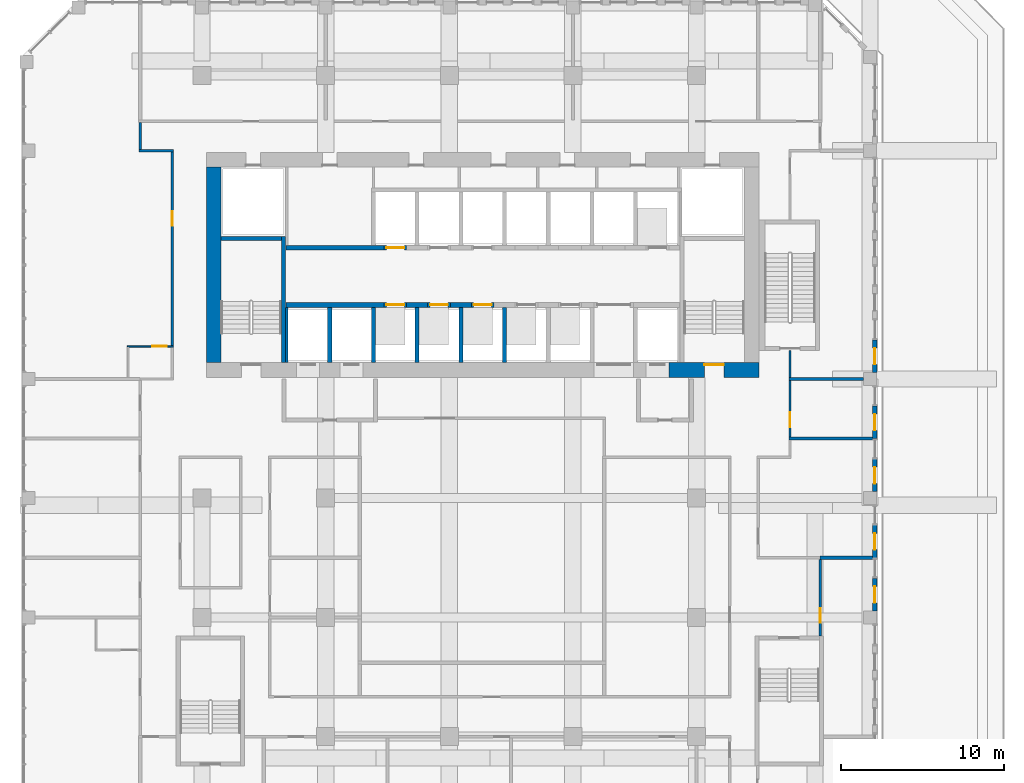
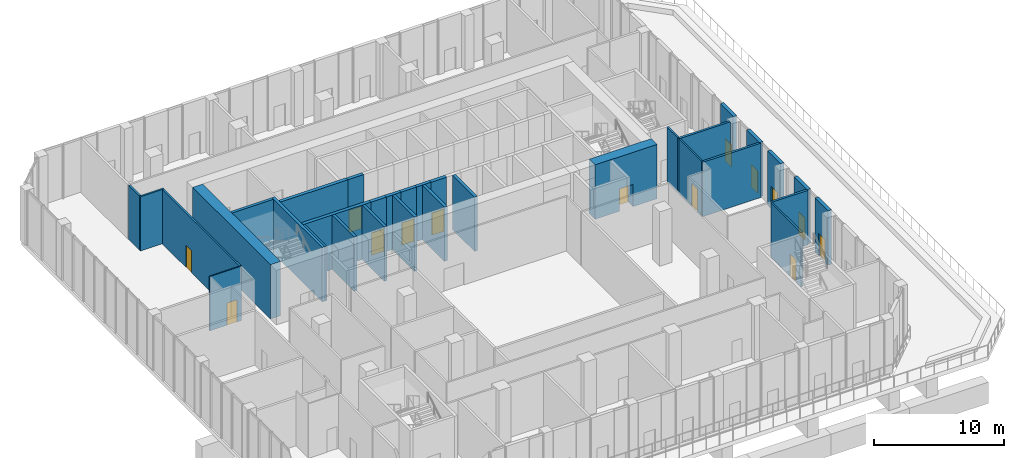
# One storey, part 12 of 19: 33 walls, 14 doors, 14 openings.
"""IFC4 building model written with IfcOpenShell, lengths in metres."""

from ifc_helpers import new_model, si_unit, direction, frame, frame_2d, origin, place, context, subcontext, project, spatial, rectangle, extrude, source, transform, mapped, material, layer, layer_set, type_object, element, fill, save


model = new_model("IFC4")

# Units and contexts
model_context = context("Model", 3, precision=1e-05, world=origin(), true_north=direction((0.0, 1.0)))
body_context = subcontext(model_context, "Body", "Model", "MODEL_VIEW")
ifc_project = project(units=[si_unit("LENGTHUNIT", "METRE"), si_unit("AREAUNIT", "SQUARE_METRE"), si_unit("VOLUMEUNIT", "CUBIC_METRE"), si_unit("PLANEANGLEUNIT", "RADIAN"), si_unit("MASSUNIT", "GRAM", prefix="KILO")], contexts=[model_context])

# Site, building, storey
site_placement = place(None, origin())
site = spatial("IfcSite", under=ifc_project, at=site_placement, CompositionType="ELEMENT")
building_placement = place(site_placement, origin())
building = spatial("IfcBuilding", under=site, at=building_placement, Name="Kilnfold Tower and Market Hall", CompositionType="ELEMENT")
storey_placement = place(building_placement, frame((0.0, 0.0, 138.5)))
storey = spatial("IfcBuildingStorey", under=building, at=storey_placement, Name="L31", CompositionType="ELEMENT", Elevation=138.5)

# Wall, opening, door
ifc_material_1 = material(Name="Gypsum board on steel studs", Category="steel")
ifc_layer_1 = layer(ifc_material_1, 0.14990234375)
ifc_layer_set_1 = layer_set([ifc_layer_1], Name="Gypsum board on steel studs")
wall_type_1 = type_object("IfcWallType", Name="WALL CORRIDOR 150", PredefinedType="PARTITIONING", material=ifc_layer_set_1)
wall_1_placement = place(storey_placement, frame((-18.0, 10.0400390625, 0.0), z_axis=(0.0, 0.0, 1.0), x_axis=(0.0, 1.0, 0.0)))
wall_1 = element("IfcWall", 1, at=wall_1_placement, inside=storey, type_object=wall_type_1, Name="Partition LY20.15", PredefinedType="PARTITIONING", context=body_context, shape_type="SweptSolid", body=[
    extrude(rectangle(XDim=11.885009765625, YDim=0.14990234375, at=frame_2d((5.9423828125, 0.0))), origin(), (0.0, 0.0, 1.0), 5.1201171875),
])
opening_1_placement = place(wall_1_placement, frame((7.35693359375, 0.0, 0.0)))
opening_1 = element("IfcOpeningElement", 2, at=opening_1_placement, cuts=wall_1, Name="Opening D2", PredefinedType="OPENING", context=body_context, shape_type="SweptSolid", body=[
    extrude(rectangle(XDim=0.89990234375, YDim=2.10009765625, at=frame_2d((0.449951171875, 1.050048828125))), frame((0.0, 0.0849609375, 0.0), z_axis=(0.0, -1.0, 0.0), x_axis=(1.0, 0.0, 0.0)), (0.0, 0.0, 1.0), 0.169921875),
])
ifc_material_2 = material(Name="Timber veneer door leaf in steel frame", Category="steel")
door_type_1 = type_object("IfcDoorType", Name="DOOR ROOM 900 X2100", OperationType="NOTDEFINED", PredefinedType="DOOR", material=ifc_material_2)
door_1_placement = place(opening_1_placement, origin())
door_1 = element("IfcDoor", 3, at=door_1_placement, inside=storey, type_object=door_type_1, Name="Door D2", OperationType="SINGLE_SWING_LEFT", OverallHeight=2.10009765625, OverallWidth=0.89990234375, PredefinedType="DOOR", context=body_context, shape_type="SweptSolid", body=[
    extrude(rectangle(XDim=0.89990234375, YDim=2.10009765625, at=frame_2d((0.449951171875, 1.050048828125))), frame((0.0, 0.02490234375, 0.0), z_axis=(0.0, -1.0, 0.0), x_axis=(1.0, 0.0, 0.0)), (0.0, 0.0, 1.0), 0.050048828125),
])
fill(opening_1, door_1)

# Walls
wall_2_placement = place(storey_placement, frame((-20.033935546875, 22.0, 0.0), z_axis=(0.0, 0.0, 1.0), x_axis=(1.0, 0.0, 0.0)))
element("IfcWall", 4, at=wall_2_placement, inside=storey, type_object=wall_type_1, Name="Partition LY20.16", PredefinedType="PARTITIONING", context=body_context, shape_type="SweptSolid", body=[
    extrude(rectangle(XDim=2.10888671875, YDim=0.14990234375, at=frame_2d((1.054443359375, 0.0))), origin(), (0.0, 0.0, 1.0), 5.1201171875),
])
wall_3_placement = place(storey_placement, frame((-19.958984375, 22.074951171875, 0.0), z_axis=(0.0, 0.0, 1.0), x_axis=(0.0, 1.0, 0.0)))
element("IfcWall", 5, at=wall_3_placement, inside=storey, type_object=wall_type_1, Name="Partition LY20.17", PredefinedType="PARTITIONING", context=body_context, shape_type="SweptSolid", body=[
    extrude(rectangle(XDim=1.650146484375, YDim=0.14990234375, at=frame_2d((0.8251953125, 0.0))), origin(), (0.0, 0.0, 1.0), 5.1201171875),
])

# Wall, opening, door
wall_4_placement = place(storey_placement, frame((19.89990234375, 4.43408203125, 0.0), z_axis=(0.0, 0.0, 1.0), x_axis=(0.0, 1.0, 0.0)))
wall_4 = element("IfcWall", 6, at=wall_4_placement, inside=storey, type_object=wall_type_1, Name="Partition LY20.22", PredefinedType="PARTITIONING", context=body_context, shape_type="SweptSolid", body=[
    extrude(rectangle(XDim=3.475830078125, YDim=0.14990234375, at=frame_2d((1.73779296875, 0.0))), origin(), (0.0, 0.0, 1.0), 5.1201171875),
])
opening_2_placement = place(wall_4_placement, frame((0.614013671875, 0.0, 0.0)))
opening_2 = element("IfcOpeningElement", 7, at=opening_2_placement, cuts=wall_4, Name="Opening D2", PredefinedType="OPENING", context=body_context, shape_type="SweptSolid", body=[
    extrude(rectangle(XDim=0.89990234375, YDim=2.10009765625, at=frame_2d((0.449951171875, 1.050048828125))), frame((0.0, 0.0849609375, 0.0), z_axis=(0.0, -1.0, 0.0), x_axis=(1.0, 0.0, 0.0)), (0.0, 0.0, 1.0), 0.169921875),
])
door_2_placement = place(opening_2_placement, origin())
door_2 = element("IfcDoor", 8, at=door_2_placement, inside=storey, type_object=door_type_1, Name="Door D2", OperationType="SINGLE_SWING_LEFT", OverallHeight=2.10009765625, OverallWidth=0.89990234375, PredefinedType="DOOR", context=body_context, shape_type="SweptSolid", body=[
    extrude(rectangle(XDim=0.89990234375, YDim=2.10009765625, at=frame_2d((0.449951171875, 1.050048828125))), frame((0.0, 0.02490234375, 0.0), z_axis=(0.0, -1.0, 0.0), x_axis=(1.0, 0.0, 0.0)), (0.0, 0.0, 1.0), 0.050048828125),
])
fill(opening_2, door_2)

# Wall
wall_5_placement = place(storey_placement, frame((19.89990234375, 8.090087890625, 0.0), z_axis=(0.0, 0.0, 1.0), x_axis=(0.0, 1.0, 0.0)))
element("IfcWall", 9, at=wall_5_placement, inside=storey, type_object=wall_type_1, Name="Partition LY20.25", PredefinedType="PARTITIONING", context=body_context, shape_type="SweptSolid", body=[
    extrude(rectangle(XDim=1.659912109375, YDim=0.14990234375, at=frame_2d((0.830078125, 0.0))), origin(), (0.0, 0.0, 1.0), 5.1201171875),
])

# Wall, opening, door
wall_6_placement = place(storey_placement, frame((21.75, -7.75, 0.0), z_axis=(0.0, 0.0, 1.0), x_axis=(0.0, 1.0, 0.0)))
wall_6 = element("IfcWall", 10, at=wall_6_placement, inside=storey, type_object=wall_type_1, Name="Partition LY20.30", PredefinedType="PARTITIONING", context=body_context, shape_type="SweptSolid", body=[
    extrude(rectangle(XDim=4.681884765625, YDim=0.14990234375, at=frame_2d((2.3408203125, 0.0))), origin(), (0.0, 0.0, 1.0), 5.1201171875),
])
opening_3_placement = place(wall_6_placement, frame((0.801025390625, 0.0, 0.0)))
opening_3 = element("IfcOpeningElement", 11, at=opening_3_placement, cuts=wall_6, Name="Opening D2", PredefinedType="OPENING", context=body_context, shape_type="SweptSolid", body=[
    extrude(rectangle(XDim=0.89990234375, YDim=2.10009765625, at=frame_2d((0.449951171875, 1.050048828125))), frame((0.0, 0.0849609375, 0.0), z_axis=(0.0, -1.0, 0.0), x_axis=(1.0, 0.0, 0.0)), (0.0, 0.0, 1.0), 0.169921875),
])
door_3_placement = place(opening_3_placement, origin())
door_3 = element("IfcDoor", 12, at=door_3_placement, inside=storey, type_object=door_type_1, Name="Door D2", OperationType="SINGLE_SWING_LEFT", OverallHeight=2.10009765625, OverallWidth=0.89990234375, PredefinedType="DOOR", context=body_context, shape_type="SweptSolid", body=[
    extrude(rectangle(XDim=0.89990234375, YDim=2.10009765625, at=frame_2d((0.449951171875, 1.050048828125))), frame((0.0, 0.02490234375, 0.0), z_axis=(0.0, -1.0, 0.0), x_axis=(1.0, 0.0, 0.0)), (0.0, 0.0, 1.0), 0.050048828125),
])
fill(opening_3, door_3)

ifc_material_3 = material(Name="Gypsum board on steel studs", Category="steel")
ifc_layer_2 = layer(ifc_material_3, 0.10009765625)
ifc_layer_set_2 = layer_set([ifc_layer_2], Name="Gypsum board on steel studs")
wall_type_2 = type_object("IfcWallType", Name="WALL PARTITION 100", PredefinedType="PARTITIONING", material=ifc_layer_set_2)
wall_7_placement = place(storey_placement, frame((-20.751953125, 10.0, 0.0), z_axis=(0.0, 0.0, 1.0), x_axis=(1.0, 0.0, 0.0)))
wall_7 = element("IfcWall", 13, at=wall_7_placement, inside=storey, type_object=wall_type_2, Name="Partition LY20.58", PredefinedType="PARTITIONING", context=body_context, shape_type="SweptSolid", body=[
    extrude(rectangle(XDim=2.824951171875, YDim=0.10009765625, at=frame_2d((1.41259765625, 0.0))), origin(), (0.0, 0.0, 1.0), 5.1201171875),
])
opening_4_placement = place(wall_7_placement, frame((1.52197265625, 0.0, 0.0)))
opening_4 = element("IfcOpeningElement", 14, at=opening_4_placement, cuts=wall_7, Name="Opening D3", PredefinedType="OPENING", context=body_context, shape_type="SweptSolid", body=[
    extrude(rectangle(XDim=0.89990234375, YDim=2.10009765625, at=frame_2d((0.449951171875, 1.050048828125))), frame((0.0, 0.06005859375, 0.0), z_axis=(0.0, -1.0, 0.0), x_axis=(1.0, 0.0, 0.0)), (0.0, 0.0, 1.0), 0.1201171875),
])
ifc_material_4 = material(Name="Timber veneer door leaf in steel frame", Category="steel")
door_type_2 = type_object("IfcDoorType", Name="DOOR WC 900 X2100", OperationType="NOTDEFINED", PredefinedType="DOOR", material=ifc_material_4)
door_4_placement = place(opening_4_placement, origin())
door_4 = element("IfcDoor", 15, at=door_4_placement, inside=storey, type_object=door_type_2, Name="Door D3", OperationType="SINGLE_SWING_RIGHT", OverallHeight=2.10009765625, OverallWidth=0.89990234375, PredefinedType="DOOR", context=body_context, shape_type="SweptSolid", body=[
    extrude(rectangle(XDim=0.89990234375, YDim=2.10009765625, at=frame_2d((0.449951171875, 1.050048828125))), frame((0.0, 0.02490234375, 0.0), z_axis=(0.0, -1.0, 0.0), x_axis=(1.0, 0.0, 0.0)), (0.0, 0.0, 1.0), 0.050048828125),
])
fill(opening_4, door_4)

# Walls
ifc_material_5 = material(Name="Gypsum board on steel studs", Category="steel")
ifc_layer_3 = layer(ifc_material_5, 0.199951171875)
ifc_layer_set_3 = layer_set([ifc_layer_3], Name="Gypsum board on steel studs")
wall_type_3 = type_object("IfcWallType", Name="WALL PARTY 200", PredefinedType="PARTITIONING", material=ifc_layer_set_3)
wall_8_placement = place(storey_placement, frame((19.826904296875, 8.0, 0.0), z_axis=(0.0, 0.0, 1.0), x_axis=(1.0, 0.0, 0.0)))
element("IfcWall", 16, at=wall_8_placement, inside=storey, type_object=wall_type_3, Name="Partition LY20.68", PredefinedType="PARTITIONING", context=body_context, shape_type="SweptSolid", body=[
    extrude(rectangle(XDim=4.572998046875, YDim=0.199951171875, at=frame_2d((2.28662109375, 0.0))), origin(), (0.0, 0.0, 1.0), 5.1201171875),
])
wall_9_placement = place(storey_placement, frame((19.826904296875, 4.343994140625, 0.0), z_axis=(0.0, 0.0, 1.0), x_axis=(1.0, 0.0, 0.0)))
element("IfcWall", 17, at=wall_9_placement, inside=storey, type_object=wall_type_3, Name="Partition LY20.69", PredefinedType="PARTITIONING", context=body_context, shape_type="SweptSolid", body=[
    extrude(rectangle(XDim=5.173095703125, YDim=0.199951171875, at=frame_2d((2.58642578125, 0.0))), origin(), (0.0, 0.0, 1.0), 5.1201171875),
])
wall_10_placement = place(storey_placement, frame((21.7509765625, -2.968017578125, 0.0), z_axis=(0.0, 0.0, 1.0), x_axis=(0.999999954829, -0.000300571071, 0.0)))
element("IfcWall", 18, at=wall_10_placement, inside=storey, type_object=wall_type_3, Name="Partition LY20.70", PredefinedType="PARTITIONING", context=body_context, shape_type="SweptSolid", body=[
    extrude(rectangle(XDim=3.2490234375, YDim=0.199951171875, at=frame_2d((1.62451171875, 0.0))), origin(), (0.0, 0.0, 1.0), 5.1201171875),
])

# Wall, opening, door
ifc_material_6 = material(Name="Concrete C70", Category="concrete")
ifc_layer_4 = layer(ifc_material_6, 0.89990234375)
ifc_layer_set_4 = layer_set([ifc_layer_4], Name="Concrete C70")
wall_type_4 = type_object("IfcWallType", Name="CORE WALL 900 C70", PredefinedType="SHEAR", material=ifc_layer_set_4)
shared_shape_1 = source(origin(), body_context, "Body", "SweptSolid", [
    extrude(rectangle(XDim=5.530029296875, YDim=0.89990234375, at=frame_2d((2.76513671875, 0.0))), origin(), (0.0, 0.0, 1.0), 5.1201171875),
])
wall_11_placement = place(storey_placement, frame((12.469970703125, 8.550048828125, 0.0), z_axis=(0.0, 0.0, 1.0), x_axis=(1.0, 0.0, 0.0)))
wall_11 = element("IfcWall", 19, at=wall_11_placement, inside=storey, type_object=wall_type_4, Name="Core outer wall south", PredefinedType="SHEAR", context=body_context, shape_type="MappedRepresentation", body=[
    mapped(shared_shape_1, transform((0.0, 0.0, 0.0))),
])
opening_5_placement = place(wall_11_placement, frame((2.179931640625, 0.0, 0.0)))
opening_5 = element("IfcOpeningElement", 20, at=opening_5_placement, cuts=wall_11, Name="Opening SD1", PredefinedType="OPENING", context=body_context, shape_type="SweptSolid", body=[
    extrude(rectangle(XDim=1.199951171875, YDim=2.10009765625, at=frame_2d((0.60009765625, 1.050048828125))), frame((0.0, 0.4599609375, 0.0), z_axis=(0.0, -1.0, 0.0), x_axis=(1.0, 0.0, 0.0)), (0.0, 0.0, 1.0), 0.919921875),
])
ifc_material_7 = material(Name="Steel door set with fire-resisting leaf", Category="steel")
door_type_3 = type_object("IfcDoorType", Name="STAIR FLOOR DOOR 1200X2100", OperationType="NOTDEFINED", PredefinedType="DOOR", material=ifc_material_7)
door_5_placement = place(opening_5_placement, origin())
door_5 = element("IfcDoor", 21, at=door_5_placement, inside=storey, type_object=door_type_3, Name="Exit stair ST2 door", OperationType="DOUBLE_DOOR_SINGLE_SWING", OverallHeight=2.10009765625, OverallWidth=1.199951171875, PredefinedType="DOOR", context=body_context, shape_type="SweptSolid", body=[
    extrude(rectangle(XDim=1.199951171875, YDim=2.10009765625, at=frame_2d((0.60009765625, 1.050048828125))), frame((0.0, 0.35498046875, 0.0), z_axis=(0.0, -1.0, 0.0), x_axis=(1.0, 0.0, 0.0)), (0.0, 0.0, 1.0), 0.050048828125),
])
fill(opening_5, door_5)

# Walls
shared_shape_2 = source(origin(), body_context, "Body", "SweptSolid", [
    extrude(rectangle(XDim=12.0, YDim=0.89990234375, at=frame_2d((6.0, 0.0))), origin(), (0.0, 0.0, 1.0), 5.1201171875),
])
wall_12_placement = place(storey_placement, frame((-15.449951171875, 9.0, 0.0), z_axis=(0.0, 0.0, 1.0), x_axis=(0.0, 1.0, 0.0)))
element("IfcWall", 22, at=wall_12_placement, inside=storey, type_object=wall_type_4, Name="Core outer wall west", PredefinedType="SHEAR", context=body_context, shape_type="MappedRepresentation", body=[
    mapped(shared_shape_2, transform((0.0, 0.0, 0.0))),
])
ifc_material_8 = material(Name="Concrete C70", Category="concrete")
ifc_layer_5 = layer(ifc_material_8, 0.25)
ifc_layer_set_5 = layer_set([ifc_layer_5], Name="Concrete C70")
wall_type_5 = type_object("IfcWallType", Name="CORE WALL 250 C70", PredefinedType="SHEAR", material=ifc_layer_set_5)
shared_shape_3 = source(origin(), body_context, "Body", "SweptSolid", [
    extrude(rectangle(XDim=7.75, YDim=0.25, at=frame_2d((3.875, 0.0))), origin(), (0.0, 0.0, 1.0), 5.1201171875),
])
wall_13_placement = place(storey_placement, frame((-11.175048828125, 9.0, 0.0), z_axis=(0.0, 0.0, 1.0), x_axis=(0.0, 1.0, 0.0)))
element("IfcWall", 23, at=wall_13_placement, inside=storey, type_object=wall_type_5, Name="Stair enclosure ST1", PredefinedType="SHEAR", context=body_context, shape_type="MappedRepresentation", body=[
    mapped(shared_shape_3, transform((0.0, 0.0, 0.0))),
])
shared_shape_4 = source(origin(), body_context, "Body", "SweptSolid", [
    extrude(rectangle(XDim=3.699951171875, YDim=0.25, at=frame_2d((1.85009765625, 0.0))), origin(), (0.0, 0.0, 1.0), 5.1201171875),
])
wall_14_placement = place(storey_placement, frame((-15.0, 16.625, 0.0), z_axis=(0.0, 0.0, 1.0), x_axis=(1.0, 0.0, 0.0)))
element("IfcWall", 24, at=wall_14_placement, inside=storey, type_object=wall_type_5, Name="Stair enclosure ST1", PredefinedType="SHEAR", context=body_context, shape_type="MappedRepresentation", body=[
    mapped(shared_shape_4, transform((0.0, 0.0, 0.0))),
])
ifc_material_9 = material(Name="Concrete C70", Category="concrete")
ifc_layer_6 = layer(ifc_material_9, 0.300048828125)
ifc_layer_set_6 = layer_set([ifc_layer_6], Name="Concrete C70")
wall_type_6 = type_object("IfcWallType", Name="CORE WALL 300 C70", PredefinedType="SHEAR", material=ifc_layer_set_6)
shared_shape_5 = source(origin(), body_context, "Body", "SweptSolid", [
    extrude(rectangle(XDim=6.0, YDim=0.300048828125, at=frame_2d((3.0, 0.0))), origin(), (0.0, 0.0, 1.0), 5.1201171875),
])
for number, where, z_axis, x_axis, name in (
    (25, (-11.010009765625, 12.550048828125, 0.0), (0.0, 0.0, 1.0), (1.0, 0.0, 0.0), "Core spine wall"),
    (26, (-11.010009765625, 16.050048828125, 0.0), (0.0, 0.0, 1.0), (1.0, 0.0, 0.0), "Core spine wall"),
):
    element("IfcWall", number, at=place(storey_placement, frame(where, z_axis=z_axis, x_axis=x_axis)), inside=storey, type_object=wall_type_6, Name=name, PredefinedType="SHEAR", context=body_context, shape_type="MappedRepresentation", body=[
        mapped(shared_shape_5, transform((0.0, 0.0, 0.0))),
    ])
shared_shape_6 = source(origin(), body_context, "Body", "SweptSolid", [
    extrude(rectangle(XDim=1.280029296875, YDim=0.300048828125, at=frame_2d((0.64013671875, 0.0))), origin(), (0.0, 0.0, 1.0), 5.1201171875),
])
for number, where, z_axis, x_axis, name in (
    (27, (-3.610107421875, 12.550048828125, 0.0), (0.0, 0.0, 1.0), (1.0, 0.0, 0.0), "Core spine wall"),
    (28, (-0.929931640625, 12.550048828125, 0.0), (0.0, 0.0, 1.0), (1.0, 0.0, 0.0), "Core spine wall"),
):
    element("IfcWall", number, at=place(storey_placement, frame(where, z_axis=z_axis, x_axis=x_axis)), inside=storey, type_object=wall_type_6, Name=name, PredefinedType="SHEAR", context=body_context, shape_type="MappedRepresentation", body=[
        mapped(shared_shape_6, transform((0.0, 0.0, 0.0))),
    ])

# Wall, opening, door
ifc_material_10 = material(Name="Precast concrete C50/60", Category="concrete")
ifc_layer_7 = layer(ifc_material_10, 0.300048828125)
ifc_layer_set_7 = layer_set([ifc_layer_7], Name="Precast concrete C50/60")
wall_type_7 = type_object("IfcWallType", Name="PRECAST WALL 300", PredefinedType="SOLIDWALL", material=ifc_layer_set_7)
shared_shape_7 = source(origin(), body_context, "Body", "SweptSolid", [
    extrude(rectangle(XDim=2.0, YDim=0.300048828125, at=frame_2d((1.0, 0.0))), origin(), (0.0, 0.0, 1.0), 5.1201171875),
])
wall_15_placement = place(storey_placement, frame((25.10009765625, -6.22509765625, 0.0), z_axis=(0.0, 0.0, 1.0), x_axis=(0.0, 1.0, 0.0)))
wall_15 = element("IfcWall", 29, at=wall_15_placement, inside=storey, type_object=wall_type_7, Name="External wall L31 E", PredefinedType="SOLIDWALL", context=body_context, shape_type="MappedRepresentation", body=[
    mapped(shared_shape_7, transform((0.0, 0.0, 0.0))),
])
opening_6_placement = place(wall_15_placement, frame((0.5, 0.0, 0.0)))
opening_6 = element("IfcOpeningElement", 30, at=opening_6_placement, cuts=wall_15, Name="Opening BD1", PredefinedType="OPENING", context=body_context, shape_type="SweptSolid", body=[
    extrude(rectangle(XDim=1.0, YDim=2.10009765625, at=frame_2d((0.5, 1.050048828125))), frame((0.0, 0.16015625, 0.0), z_axis=(0.0, -1.0, 0.0), x_axis=(1.0, 0.0, 0.0)), (0.0, 0.0, 1.0), 0.320068359375),
])
ifc_material_11 = material(Name="Aluminium frame and double glazing", Category="aluminium")
door_type_4 = type_object("IfcDoorType", Name="BALCONY DOOR 1000X2100", OperationType="NOTDEFINED", PredefinedType="DOOR", material=ifc_material_11)
door_6_placement = place(opening_6_placement, origin())
door_6 = element("IfcDoor", 31, at=door_6_placement, inside=storey, type_object=door_type_4, Name="Balcony door BD1 L31 E-1", OperationType="SINGLE_SWING_LEFT", OverallHeight=2.10009765625, OverallWidth=1.0, PredefinedType="DOOR", context=body_context, shape_type="SweptSolid", body=[
    extrude(rectangle(XDim=1.0, YDim=2.10009765625, at=frame_2d((0.5, 1.050048828125))), frame((0.0, 0.02490234375, 0.0), z_axis=(0.0, -1.0, 0.0), x_axis=(1.0, 0.0, 0.0)), (0.0, 0.0, 1.0), 0.050048828125),
])
fill(opening_6, door_6)

wall_16_placement = place(storey_placement, frame((25.10009765625, -2.96875, 0.0), z_axis=(0.0, 0.0, 1.0), x_axis=(0.0, 1.0, 0.0)))
wall_16 = element("IfcWall", 32, at=wall_16_placement, inside=storey, type_object=wall_type_7, Name="External wall L31 E", PredefinedType="SOLIDWALL", context=body_context, shape_type="MappedRepresentation", body=[
    mapped(shared_shape_7, transform((0.0, 0.0, 0.0))),
])
opening_7_placement = place(wall_16_placement, frame((0.5, 0.0, 0.0)))
opening_7 = element("IfcOpeningElement", 33, at=opening_7_placement, cuts=wall_16, Name="Opening BD1", PredefinedType="OPENING", context=body_context, shape_type="SweptSolid", body=[
    extrude(rectangle(XDim=1.0, YDim=2.10009765625, at=frame_2d((0.5, 1.050048828125))), frame((0.0, 0.16015625, 0.0), z_axis=(0.0, -1.0, 0.0), x_axis=(1.0, 0.0, 0.0)), (0.0, 0.0, 1.0), 0.320068359375),
])
door_7_placement = place(opening_7_placement, origin())
door_7 = element("IfcDoor", 34, at=door_7_placement, inside=storey, type_object=door_type_4, Name="Balcony door BD1 L31 E-2", OperationType="SINGLE_SWING_RIGHT", OverallHeight=2.10009765625, OverallWidth=1.0, PredefinedType="DOOR", context=body_context, shape_type="SweptSolid", body=[
    extrude(rectangle(XDim=1.0, YDim=2.10009765625, at=frame_2d((0.5, 1.050048828125))), frame((0.0, 0.02490234375, 0.0), z_axis=(0.0, -1.0, 0.0), x_axis=(1.0, 0.0, 0.0)), (0.0, 0.0, 1.0), 0.050048828125),
])
fill(opening_7, door_7)

wall_17_placement = place(storey_placement, frame((25.10009765625, 1.08740234375, 0.0), z_axis=(0.0, 0.0, 1.0), x_axis=(0.0, 1.0, 0.0)))
wall_17 = element("IfcWall", 35, at=wall_17_placement, inside=storey, type_object=wall_type_7, Name="External wall L31 E", PredefinedType="SOLIDWALL", context=body_context, shape_type="MappedRepresentation", body=[
    mapped(shared_shape_7, transform((0.0, 0.0, 0.0))),
])
opening_8_placement = place(wall_17_placement, frame((0.5, 0.0, 0.0)))
opening_8 = element("IfcOpeningElement", 36, at=opening_8_placement, cuts=wall_17, Name="Opening BD1", PredefinedType="OPENING", context=body_context, shape_type="SweptSolid", body=[
    extrude(rectangle(XDim=1.0, YDim=2.10009765625, at=frame_2d((0.5, 1.050048828125))), frame((0.0, 0.16015625, 0.0), z_axis=(0.0, -1.0, 0.0), x_axis=(1.0, 0.0, 0.0)), (0.0, 0.0, 1.0), 0.320068359375),
])
door_8_placement = place(opening_8_placement, origin())
door_8 = element("IfcDoor", 37, at=door_8_placement, inside=storey, type_object=door_type_4, Name="Balcony door BD1 L31 E-1", OperationType="SINGLE_SWING_LEFT", OverallHeight=2.10009765625, OverallWidth=1.0, PredefinedType="DOOR", context=body_context, shape_type="SweptSolid", body=[
    extrude(rectangle(XDim=1.0, YDim=2.10009765625, at=frame_2d((0.5, 1.050048828125))), frame((0.0, 0.02490234375, 0.0), z_axis=(0.0, -1.0, 0.0), x_axis=(1.0, 0.0, 0.0)), (0.0, 0.0, 1.0), 0.050048828125),
])
fill(opening_8, door_8)

wall_18_placement = place(storey_placement, frame((25.10009765625, 4.34375, 0.0), z_axis=(0.0, 0.0, 1.0), x_axis=(0.0, 1.0, 0.0)))
wall_18 = element("IfcWall", 38, at=wall_18_placement, inside=storey, type_object=wall_type_7, Name="External wall L31 E", PredefinedType="SOLIDWALL", context=body_context, shape_type="MappedRepresentation", body=[
    mapped(shared_shape_7, transform((0.0, 0.0, 0.0))),
])
opening_9_placement = place(wall_18_placement, frame((0.5, 0.0, 0.0)))
opening_9 = element("IfcOpeningElement", 39, at=opening_9_placement, cuts=wall_18, Name="Opening BD1", PredefinedType="OPENING", context=body_context, shape_type="SweptSolid", body=[
    extrude(rectangle(XDim=1.0, YDim=2.10009765625, at=frame_2d((0.5, 1.050048828125))), frame((0.0, 0.16015625, 0.0), z_axis=(0.0, -1.0, 0.0), x_axis=(1.0, 0.0, 0.0)), (0.0, 0.0, 1.0), 0.320068359375),
])
door_9_placement = place(opening_9_placement, origin())
door_9 = element("IfcDoor", 40, at=door_9_placement, inside=storey, type_object=door_type_4, Name="Balcony door BD1 L31 E-2", OperationType="SINGLE_SWING_RIGHT", OverallHeight=2.10009765625, OverallWidth=1.0, PredefinedType="DOOR", context=body_context, shape_type="SweptSolid", body=[
    extrude(rectangle(XDim=1.0, YDim=2.10009765625, at=frame_2d((0.5, 1.050048828125))), frame((0.0, 0.02490234375, 0.0), z_axis=(0.0, -1.0, 0.0), x_axis=(1.0, 0.0, 0.0)), (0.0, 0.0, 1.0), 0.050048828125),
])
fill(opening_9, door_9)

wall_19_placement = place(storey_placement, frame((25.10009765625, 8.39990234375, 0.0), z_axis=(0.0, 0.0, 1.0), x_axis=(0.0, 1.0, 0.0)))
wall_19 = element("IfcWall", 41, at=wall_19_placement, inside=storey, type_object=wall_type_7, Name="External wall L31 E", PredefinedType="SOLIDWALL", context=body_context, shape_type="MappedRepresentation", body=[
    mapped(shared_shape_7, transform((0.0, 0.0, 0.0))),
])
opening_10_placement = place(wall_19_placement, frame((0.5, 0.0, 0.0)))
opening_10 = element("IfcOpeningElement", 42, at=opening_10_placement, cuts=wall_19, Name="Opening BD1", PredefinedType="OPENING", context=body_context, shape_type="SweptSolid", body=[
    extrude(rectangle(XDim=1.0, YDim=2.10009765625, at=frame_2d((0.5, 1.050048828125))), frame((0.0, 0.16015625, 0.0), z_axis=(0.0, -1.0, 0.0), x_axis=(1.0, 0.0, 0.0)), (0.0, 0.0, 1.0), 0.320068359375),
])
door_10_placement = place(opening_10_placement, origin())
door_10 = element("IfcDoor", 43, at=door_10_placement, inside=storey, type_object=door_type_4, Name="Balcony door BD1 L31 E-1", OperationType="SINGLE_SWING_LEFT", OverallHeight=2.10009765625, OverallWidth=1.0, PredefinedType="DOOR", context=body_context, shape_type="SweptSolid", body=[
    extrude(rectangle(XDim=1.0, YDim=2.10009765625, at=frame_2d((0.5, 1.050048828125))), frame((0.0, 0.02490234375, 0.0), z_axis=(0.0, -1.0, 0.0), x_axis=(1.0, 0.0, 0.0)), (0.0, 0.0, 1.0), 0.050048828125),
])
fill(opening_10, door_10)

ifc_material_12 = material(Name="Gypsum shaft wall system")
ifc_layer_8 = layer(ifc_material_12, 0.300048828125)
ifc_layer_set_8 = layer_set([ifc_layer_8], Name="Gypsum shaft wall system")
wall_type_8 = type_object("IfcWallType", Name="SHAFT WALL 300", PredefinedType="PARTITIONING", material=ifc_layer_set_8)
shared_shape_8 = source(origin(), body_context, "Body", "SweptSolid", [
    extrude(rectangle(XDim=1.39990234375, YDim=0.300048828125, at=frame_2d((0.699951171875, 0.0))), origin(), (0.0, 0.0, 1.0), 5.1201171875),
])
wall_20_placement = place(storey_placement, frame((-5.010009765625, 12.550048828125, 0.0), z_axis=(0.0, 0.0, 1.0), x_axis=(1.0, 0.0, 0.0)))
wall_20 = element("IfcWall", 44, at=wall_20_placement, inside=storey, type_object=wall_type_8, Name="Lift shaft front wall", PredefinedType="PARTITIONING", context=body_context, shape_type="MappedRepresentation", body=[
    mapped(shared_shape_8, transform((0.0, 0.0, 0.0))),
])
opening_11_placement = place(wall_20_placement, frame((0.14990234375, 0.0, 0.0)))
opening_11 = element("IfcOpeningElement", 45, at=opening_11_placement, cuts=wall_20, Name="Opening LD2", PredefinedType="OPENING", context=body_context, shape_type="SweptSolid", body=[
    extrude(rectangle(XDim=1.10009765625, YDim=2.10009765625, at=frame_2d((0.550048828125, 1.050048828125))), frame((0.0, 0.16015625, 0.0), z_axis=(0.0, -1.0, 0.0), x_axis=(1.0, 0.0, 0.0)), (0.0, 0.0, 1.0), 0.320068359375),
])
ifc_material_13 = material(Name="Steel door set with fire-resisting leaf", Category="steel")
door_type_5 = type_object("IfcDoorType", Name="LANDING DOOR 1100X2100", OperationType="NOTDEFINED", PredefinedType="DOOR", material=ifc_material_13)
door_11_placement = place(opening_11_placement, origin())
door_11 = element("IfcDoor", 46, at=door_11_placement, inside=storey, type_object=door_type_5, Name="Landing door MR1", OperationType="DOUBLE_DOOR_SLIDING", OverallHeight=2.10009765625, OverallWidth=1.10009765625, PredefinedType="DOOR", context=body_context, shape_type="SweptSolid", body=[
    extrude(rectangle(XDim=1.10009765625, YDim=2.10009765625, at=frame_2d((0.550048828125, 1.050048828125))), frame((0.0, 0.02490234375, 0.0), z_axis=(0.0, -1.0, 0.0), x_axis=(1.0, 0.0, 0.0)), (0.0, 0.0, 1.0), 0.050048828125),
])
fill(opening_11, door_11)

wall_21_placement = place(storey_placement, frame((0.35009765625, 12.550048828125, 0.0), z_axis=(0.0, 0.0, 1.0), x_axis=(1.0, 0.0, 0.0)))
wall_21 = element("IfcWall", 47, at=wall_21_placement, inside=storey, type_object=wall_type_8, Name="Lift shaft front wall", PredefinedType="PARTITIONING", context=body_context, shape_type="MappedRepresentation", body=[
    mapped(shared_shape_8, transform((0.0, 0.0, 0.0))),
])
opening_12_placement = place(wall_21_placement, frame((0.14990234375, 0.0, 0.0)))
opening_12 = element("IfcOpeningElement", 48, at=opening_12_placement, cuts=wall_21, Name="Opening LD2", PredefinedType="OPENING", context=body_context, shape_type="SweptSolid", body=[
    extrude(rectangle(XDim=1.10009765625, YDim=2.10009765625, at=frame_2d((0.550048828125, 1.050048828125))), frame((0.0, 0.16015625, 0.0), z_axis=(0.0, -1.0, 0.0), x_axis=(1.0, 0.0, 0.0)), (0.0, 0.0, 1.0), 0.320068359375),
])
door_12_placement = place(opening_12_placement, origin())
door_12 = element("IfcDoor", 49, at=door_12_placement, inside=storey, type_object=door_type_5, Name="Landing door MR3", OperationType="DOUBLE_DOOR_SLIDING", OverallHeight=2.10009765625, OverallWidth=1.10009765625, PredefinedType="DOOR", context=body_context, shape_type="SweptSolid", body=[
    extrude(rectangle(XDim=1.10009765625, YDim=2.10009765625, at=frame_2d((0.550048828125, 1.050048828125))), frame((0.0, 0.02490234375, 0.0), z_axis=(0.0, -1.0, 0.0), x_axis=(1.0, 0.0, 0.0)), (0.0, 0.0, 1.0), 0.050048828125),
])
fill(opening_12, door_12)

wall_22_placement = place(storey_placement, frame((-5.010009765625, 16.050048828125, 0.0), z_axis=(0.0, 0.0, 1.0), x_axis=(1.0, 0.0, 0.0)))
wall_22 = element("IfcWall", 50, at=wall_22_placement, inside=storey, type_object=wall_type_8, Name="Lift shaft front wall", PredefinedType="PARTITIONING", context=body_context, shape_type="MappedRepresentation", body=[
    mapped(shared_shape_8, transform((0.0, 0.0, 0.0))),
])
opening_13_placement = place(wall_22_placement, frame((0.14990234375, 0.0, 0.0)))
opening_13 = element("IfcOpeningElement", 51, at=opening_13_placement, cuts=wall_22, Name="Opening LD2", PredefinedType="OPENING", context=body_context, shape_type="SweptSolid", body=[
    extrude(rectangle(XDim=1.10009765625, YDim=2.10009765625, at=frame_2d((0.550048828125, 1.050048828125))), frame((0.0, 0.16015625, 0.0), z_axis=(0.0, -1.0, 0.0), x_axis=(1.0, 0.0, 0.0)), (0.0, 0.0, 1.0), 0.320068359375),
])
door_13_placement = place(opening_13_placement, origin())
door_13 = element("IfcDoor", 52, at=door_13_placement, inside=storey, type_object=door_type_5, Name="Landing door SH1", OperationType="DOUBLE_DOOR_SLIDING", OverallHeight=2.10009765625, OverallWidth=1.10009765625, PredefinedType="DOOR", context=body_context, shape_type="SweptSolid", body=[
    extrude(rectangle(XDim=1.10009765625, YDim=2.10009765625, at=frame_2d((0.550048828125, 1.050048828125))), frame((0.0, 0.02490234375, 0.0), z_axis=(0.0, -1.0, 0.0), x_axis=(1.0, 0.0, 0.0)), (0.0, 0.0, 1.0), 0.050048828125),
])
fill(opening_13, door_13)

shared_shape_9 = source(origin(), body_context, "Body", "SweptSolid", [
    extrude(rectangle(XDim=1.400146484375, YDim=0.300048828125, at=frame_2d((0.7001953125, 0.0))), origin(), (0.0, 0.0, 1.0), 5.1201171875),
])
wall_23_placement = place(storey_placement, frame((-2.330078125, 12.550048828125, 0.0), z_axis=(0.0, 0.0, 1.0), x_axis=(1.0, 0.0, 0.0)))
wall_23 = element("IfcWall", 53, at=wall_23_placement, inside=storey, type_object=wall_type_8, Name="Lift shaft front wall", PredefinedType="PARTITIONING", context=body_context, shape_type="MappedRepresentation", body=[
    mapped(shared_shape_9, transform((0.0, 0.0, 0.0))),
])
opening_14_placement = place(wall_23_placement, frame((0.14990234375, 0.0, 0.0)))
opening_14 = element("IfcOpeningElement", 54, at=opening_14_placement, cuts=wall_23, Name="Opening LD2", PredefinedType="OPENING", context=body_context, shape_type="SweptSolid", body=[
    extrude(rectangle(XDim=1.10009765625, YDim=2.10009765625, at=frame_2d((0.550048828125, 1.050048828125))), frame((0.0, 0.16015625, 0.0), z_axis=(0.0, -1.0, 0.0), x_axis=(1.0, 0.0, 0.0)), (0.0, 0.0, 1.0), 0.320068359375),
])
door_14_placement = place(opening_14_placement, origin())
door_14 = element("IfcDoor", 55, at=door_14_placement, inside=storey, type_object=door_type_5, Name="Landing door MR2", OperationType="DOUBLE_DOOR_SLIDING", OverallHeight=2.10009765625, OverallWidth=1.10009765625, PredefinedType="DOOR", context=body_context, shape_type="SweptSolid", body=[
    extrude(rectangle(XDim=1.10009765625, YDim=2.10009765625, at=frame_2d((0.550048828125, 1.050048828125))), frame((0.0, 0.02490234375, 0.0), z_axis=(0.0, -1.0, 0.0), x_axis=(1.0, 0.0, 0.0)), (0.0, 0.0, 1.0), 0.050048828125),
])
fill(opening_14, door_14)

# Walls
ifc_material_14 = material(Name="Gypsum shaft wall system")
ifc_layer_9 = layer(ifc_material_14, 0.25)
ifc_layer_set_9 = layer_set([ifc_layer_9], Name="Gypsum shaft wall system")
wall_type_9 = type_object("IfcWallType", Name="SHAFT WALL 250", PredefinedType="PARTITIONING", material=ifc_layer_set_9)
shared_shape_10 = source(origin(), body_context, "Body", "SweptSolid", [
    extrude(rectangle(XDim=3.39990234375, YDim=0.25, at=frame_2d((1.699951171875, 0.0))), origin(), (0.0, 0.0, 1.0), 5.1201171875),
])
for number, where, z_axis, x_axis, name in (
    (56, (2.389892578125, 9.0, 0.0), (0.0, 0.0, 1.0), (0.0, 1.0, 0.0), "Lift shaft wall"),
    (57, (-0.2900390625, 9.0, 0.0), (0.0, 0.0, 1.0), (0.0, 1.0, 0.0), "Lift shaft wall"),
    (58, (-2.969970703125, 9.0, 0.0), (0.0, 0.0, 1.0), (0.0, 1.0, 0.0), "Lift shaft wall"),
    (59, (-5.64990234375, 9.0, 0.0), (0.0, 0.0, 1.0), (0.0, 1.0, 0.0), "Lift shaft wall"),
    (60, (-8.330078125, 9.0, 0.0), (0.0, 0.0, 1.0), (0.0, 1.0, 0.0), "Lift shaft wall"),
):
    element("IfcWall", number, at=place(storey_placement, frame(where, z_axis=z_axis, x_axis=x_axis)), inside=storey, type_object=wall_type_9, Name=name, PredefinedType="PARTITIONING", context=body_context, shape_type="MappedRepresentation", body=[
        mapped(shared_shape_10, transform((0.0, 0.0, 0.0))),
    ])
ifc_material_15 = material(Name="Gypsum shaft wall system")
ifc_layer_10 = layer(ifc_material_15, 0.1650390625)
ifc_layer_set_10 = layer_set([ifc_layer_10], Name="Gypsum shaft wall system")
wall_type_10 = type_object("IfcWallType", Name="SHAFT WALL 165", PredefinedType="PARTITIONING", material=ifc_layer_set_10)
shared_shape_11 = source(origin(), body_context, "Body", "SweptSolid", [
    extrude(rectangle(XDim=3.39990234375, YDim=0.1650390625, at=frame_2d((1.699951171875, 0.0))), origin(), (0.0, 0.0, 1.0), 5.1201171875),
])
wall_24_placement = place(storey_placement, frame((-10.967529296875, 9.0, 0.0), z_axis=(0.0, 0.0, 1.0), x_axis=(0.0, 1.0, 0.0)))
element("IfcWall", 61, at=wall_24_placement, inside=storey, type_object=wall_type_10, Name="Lift shaft wall", PredefinedType="PARTITIONING", context=body_context, shape_type="MappedRepresentation", body=[
    mapped(shared_shape_11, transform((0.0, 0.0, 0.0))),
])

save(model, "model.ifc")
